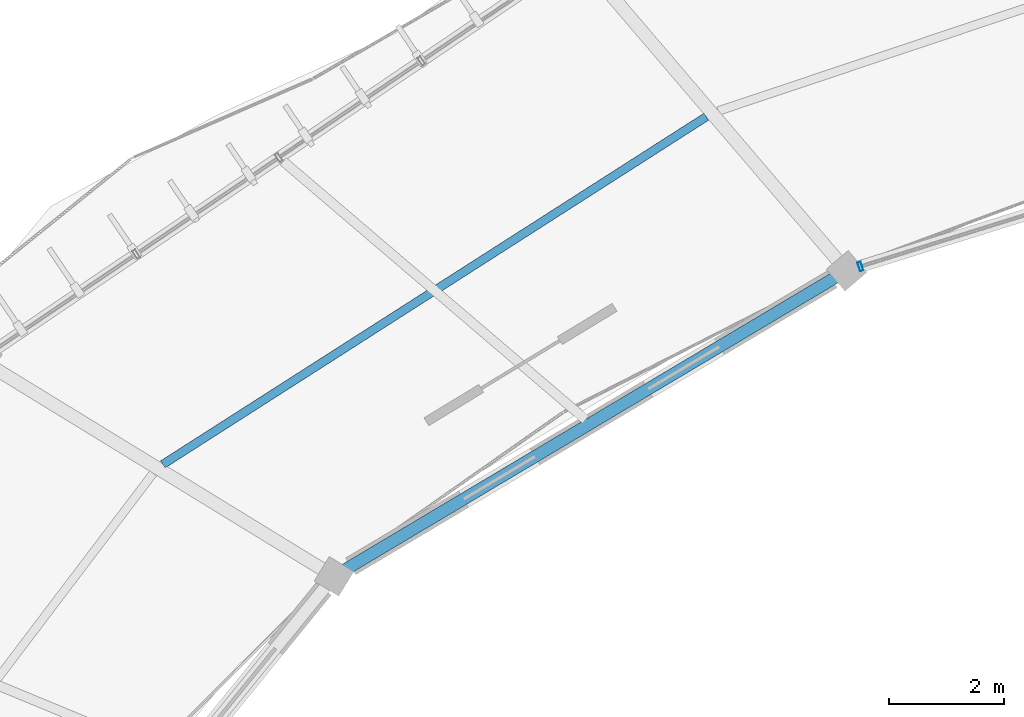
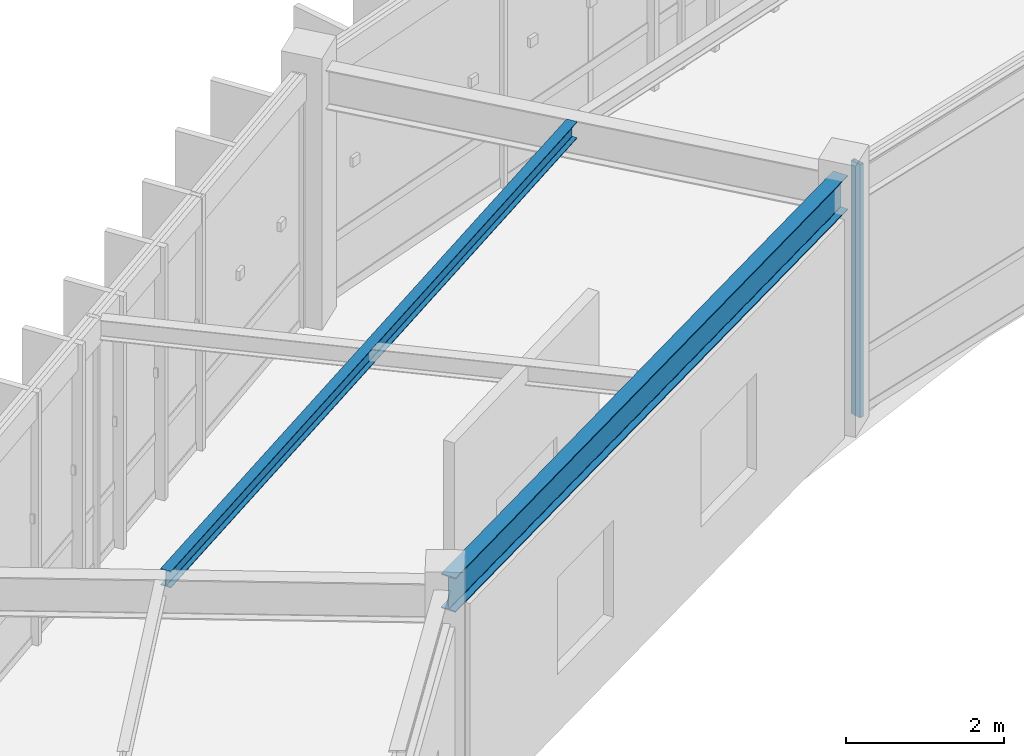
# One storey, part 27 of 79: 2 beams, 1 member, 1 element without a shape of its own.
"""IFC4 building model written with IfcOpenShell, lengths in metres."""

import ifcopenshell
import ifcopenshell.guid

model = None  # the IFC model being written
_history = None  # IfcOwnerHistory: only IFC2X3 demands one
_inside = {}  # id of a spatial element -> (the spatial element, [elements in it])
_under = {}  # id of a project, library or spatial element -> (it, [spatial elements below it])
_declared = {}  # id of a project -> (the project, [libraries it declares])
_typed = {}  # id of a type object -> (the type object, [elements of that type])
_made_of = {}  # id of a material, layer set ... -> (it, [elements and type objects made of it])


def new_model(schema):
    """Start an empty IFC model of exactly this schema.

    Asked for "IFC4X3", IfcOpenShell would pick the latest addendum, in which some entities
    have other attributes; the version numbers below select the first issue.
    IFC2X3 requires an IfcOwnerHistory on every rooted entity: one is made here for all.
    """
    global model, _history
    if schema == "IFC4X3":
        model = ifcopenshell.file(schema_version=(4, 3, 0, 0))
    else:
        model = ifcopenshell.file(schema=schema)
    _inside.clear()
    _under.clear()
    _declared.clear()
    _typed.clear()
    _made_of.clear()
    _history = None
    if model.schema == "IFC2X3":
        org = make("IfcOrganization", Name="unknown")
        user = make(
            "IfcPersonAndOrganization",
            ThePerson=make("IfcPerson", FamilyName="unknown"),
            TheOrganization=org,
        )
        app = make(
            "IfcApplication",
            ApplicationDeveloper=org,
            Version="unknown",
            ApplicationFullName="unknown",
            ApplicationIdentifier="unknown",
        )
        _history = make(
            "IfcOwnerHistory",
            OwningUser=user,
            OwningApplication=app,
            ChangeAction="ADDED",
            CreationDate=0,
        )
    return model


def make(cls, **values):
    """One entity of the class cls with the attributes given. An attribute that is None is left unset."""
    return model.create_entity(
        cls, **{name: value for name, value in values.items() if value is not None}
    )


def rooted(cls, **values):
    """An entity with a GlobalId (a new one), such as an element, a storey or a relation."""
    return make(cls, GlobalId=ifcopenshell.guid.new(), OwnerHistory=_history, **values)


def si_unit(unit_type, name, prefix=None):
    """IfcSIUnit, for example si_unit("LENGTHUNIT", "METRE", prefix="MILLI")."""
    return make("IfcSIUnit", UnitType=unit_type, Prefix=prefix, Name=name)


def assignment(units):
    """IfcUnitAssignment: the units of a project."""
    return None if units is None else make("IfcUnitAssignment", Units=units)


def point(xyz):
    """IfcCartesianPoint."""
    return None if xyz is None else make("IfcCartesianPoint", Coordinates=xyz)


def direction(xyz):
    """IfcDirection."""
    return None if xyz is None else make("IfcDirection", DirectionRatios=xyz)


def frame(location, z_axis=None, x_axis=None):
    """IfcAxis2Placement3D, a coordinate frame: its origin and axes. An axis left out is left unset."""
    return make(
        "IfcAxis2Placement3D",
        Location=point(location),
        Axis=direction(z_axis),
        RefDirection=direction(x_axis),
    )


def frame_2d(location, x_axis=None):
    """IfcAxis2Placement2D, a coordinate frame in the plane: its origin and x axis."""
    return make(
        "IfcAxis2Placement2D", Location=point(location), RefDirection=direction(x_axis)
    )


def origin():
    """The frame at (0, 0, 0) with its axes left unset."""
    return frame((0.0, 0.0, 0.0))


def origin_2d():
    """The frame at (0, 0) in the plane with its x axis left unset."""
    return frame_2d((0.0, 0.0))


def place(relative_to, where):
    """IfcLocalPlacement: puts the frame where relative to a parent placement (None: the world)."""
    return make(
        "IfcLocalPlacement", PlacementRelTo=relative_to, RelativePlacement=where
    )


def context(
    kind, dimensions, precision=None, world=None, true_north=None, identifier=None
):
    """IfcGeometricRepresentationContext, for example the 3D "Model" context."""
    return make(
        "IfcGeometricRepresentationContext",
        ContextIdentifier=identifier,
        ContextType=kind,
        CoordinateSpaceDimension=dimensions,
        Precision=precision,
        WorldCoordinateSystem=world,
        TrueNorth=true_north,
    )


def subcontext(parent, identifier, kind, view, scale=None):
    """IfcGeometricRepresentationSubContext, for example "Body" below "Model"."""
    return make(
        "IfcGeometricRepresentationSubContext",
        ContextIdentifier=identifier,
        ContextType=kind,
        ParentContext=parent,
        TargetScale=scale,
        TargetView=view,
    )


def project(units=None, contexts=None):
    """IfcProject with its units and contexts."""
    return rooted(
        "IfcProject",
        Name="project",
        RepresentationContexts=contexts,
        UnitsInContext=assignment(units),
    )


def spatial(cls, under=None, at=None, **own):
    """A site, building, storey or space (cls), placed at a placement, below another one or the project."""
    s = rooted(cls, ObjectPlacement=at, **own)
    if under is not None:
        _under.setdefault(under.id(), (under, []))[1].append(s)
    return s


def profile(cls, at=None, kind="AREA", **sizes):
    """A parametric profile (cls). Its sizes go by their IFC names, for example OverallWidth=200.0."""
    return make(cls, ProfileType=kind, Position=at, **sizes)


def hollow_rectangle(**sizes):
    """IfcRectangleHollowProfileDef."""
    return profile("IfcRectangleHollowProfileDef", **sizes)


def i_section(**sizes):
    """IfcIShapeProfileDef."""
    return profile("IfcIShapeProfileDef", **sizes)


def extrude(swept, where, along, depth):
    """IfcExtrudedAreaSolid: the profile swept, set in the frame where, extruded along a direction by depth."""
    return make(
        "IfcExtrudedAreaSolid",
        SweptArea=swept,
        Position=where,
        ExtrudedDirection=direction(along),
        Depth=depth,
    )


def shape(context_of_items, identifier, shape_type, items):
    """IfcShapeRepresentation: the items that make up one representation, for example the "Body"."""
    return make(
        "IfcShapeRepresentation",
        ContextOfItems=context_of_items,
        RepresentationIdentifier=identifier,
        RepresentationType=shape_type,
        Items=items,
    )


def material(Name=None, Category=None):
    """IfcMaterial."""
    return make("IfcMaterial", Name=Name, Category=Category)


def material_profile(
    of_material, cross_section, Name=None, Category=None, Priority=None
):
    """IfcMaterialProfile: a cross section and its material."""
    return make(
        "IfcMaterialProfile",
        Name=Name,
        Material=of_material,
        Profile=cross_section,
        Priority=Priority,
        Category=Category,
    )


def profile_set(profiles, Name=None, composite=None):
    """IfcMaterialProfileSet."""
    return make(
        "IfcMaterialProfileSet",
        Name=Name,
        MaterialProfiles=profiles,
        CompositeProfile=composite,
    )


def made_of(thing, what):
    """Note that an element or type object is made of a material, layer set ...; save() writes the relation."""
    if what is not None:
        _made_of.setdefault(what.id(), (what, []))[1].append(thing)
    return thing


def type_object(cls, material=None, **own):
    """A type object (cls), such as IfcWallType, which elements share."""
    return made_of(rooted(cls, **own), material)


def element(
    cls,
    number,
    at=None,
    inside=None,
    cuts=None,
    type_object=None,
    material=None,
    context=None,
    identifier="Body",
    shape_type=None,
    held_by="IfcProductDefinitionShape",
    body=None,
    shapes=None,
    **own,
):
    """One element of the class cls, such as IfcWall. Its Tag is "e" and its number.

    at: its placement. inside: the storey or other place that contains it. cuts: it is an
    opening in that element (IfcRelVoidsElement). A single representation is given by context,
    identifier, shape_type and body (its items); several are given by shapes. held_by: the class
    of the entity that holds the representations. save() writes the other relations.
    """
    e = rooted(cls, Tag="e%d" % number, ObjectPlacement=at, **own)
    if body is not None:
        shapes = [shape(context, identifier, shape_type, body)]
    if shapes is not None:
        e.Representation = make(held_by, Representations=shapes)
    if inside is not None:
        _inside.setdefault(inside.id(), (inside, []))[1].append(e)
    if cuts is not None:
        rooted(
            "IfcRelVoidsElement", RelatingBuildingElement=cuts, RelatedOpeningElement=e
        )
    if type_object is not None:
        _typed.setdefault(type_object.id(), (type_object, []))[1].append(e)
    return made_of(e, material)


def aggregate(whole, parts):
    """IfcRelAggregates: a whole, such as a stair, and the parts it consists of."""
    return rooted("IfcRelAggregates", RelatingObject=whole, RelatedObjects=parts)


def save(model, path):
    """Write the relations noted so far, then the file.

    IfcRelAggregates (storeys below a building ...), IfcRelContainedInSpatialStructure (elements
    in a storey), IfcRelDefinesByType, IfcRelAssociatesMaterial and IfcRelDeclares: one each for
    every whole, place, type object, material and project.
    """
    for whole, parts in _under.values():
        aggregate(whole, parts)
    for where, things in _inside.values():
        rooted(
            "IfcRelContainedInSpatialStructure",
            RelatedElements=things,
            RelatingStructure=where,
        )
    for kind, things in _typed.values():
        rooted("IfcRelDefinesByType", RelatedObjects=things, RelatingType=kind)
    for what, things in _made_of.values():
        rooted("IfcRelAssociatesMaterial", RelatedObjects=things, RelatingMaterial=what)
    for by, libraries in _declared.values():
        rooted("IfcRelDeclares", RelatingContext=by, RelatedDefinitions=libraries)
    model.write(path)


model = new_model("IFC4")

# Units and contexts
model_context = context("Model", 3, precision=1e-05, world=origin(), true_north=direction((0.0, 1.0)))
body_context = subcontext(model_context, "Body", "Model", "MODEL_VIEW")
ifc_project = project(units=[si_unit("LENGTHUNIT", "METRE"), si_unit("AREAUNIT", "SQUARE_METRE"), si_unit("VOLUMEUNIT", "CUBIC_METRE"), si_unit("PLANEANGLEUNIT", "RADIAN"), si_unit("MASSUNIT", "GRAM", prefix="KILO"), si_unit("THERMODYNAMICTEMPERATUREUNIT", "KELVIN"), si_unit("POWERUNIT", "WATT")], contexts=[model_context])

# Site, building, storey
site_placement = place(None, origin())
site = spatial("IfcSite", under=ifc_project, at=site_placement, CompositionType="ELEMENT")
building_placement = place(site_placement, origin())
building = spatial("IfcBuilding", under=site, at=building_placement, Name="Darbajah Civic Hall", CompositionType="ELEMENT")
storey_placement = place(building_placement, frame((0.0, 0.0, 22.199951171875)))
storey = spatial("IfcBuildingStorey", under=building, at=storey_placement, Name="L05", CompositionType="ELEMENT", Elevation=22.199951171875)

# Curtain wall, member
ifc_material_1 = material(Name="Anodised Bronze Aluminium and Low-E Glazing", Category="aluminium")
curtain_wall_type = type_object("IfcCurtainWallType", Name="Unitised Curtain Wall CW-67 11700x3900", PredefinedType="USERDEFINED", material=ifc_material_1)
curtain_wall_placement = place(storey_placement, origin())
curtain_wall = element("IfcCurtainWall", 1, at=curtain_wall_placement, inside=storey, type_object=curtain_wall_type, Name="L05 unitised curtain wall CW-V1I-L05-06", ObjectType="UNITISED CURTAIN WALL", PredefinedType="USERDEFINED")
ifc_material_2 = material(Name="Anodised Bronze Aluminium", Category="aluminium")
ifc_material_profile_1 = material_profile(ifc_material_2, hollow_rectangle(XDim=0.06005859375, YDim=0.159912109375, WallThickness=0.00341796875, at=origin_2d()), Name="ALU MULLION 60x160")
ifc_profile_set_1 = profile_set([ifc_material_profile_1], Name="Anodised Bronze Aluminium")
member_type = type_object("IfcMemberType", Name="ALU MULLION 60x160", PredefinedType="MULLION", material=ifc_profile_set_1)
member_placement = place(storey_placement, frame((60.894775390625, 106.832275390625, 0.0), z_axis=(0.0, 0.0, 1.0), x_axis=(-0.954604963513, -0.297874744877, 0.0)))
member = element("IfcMember", 2, at=member_placement, type_object=member_type, Name="CW-V1I-L05-06 mullion 4", PredefinedType="MULLION", context=body_context, shape_type="SweptSolid", body=[
    extrude(hollow_rectangle(XDim=0.06005859375, YDim=0.159912109375, WallThickness=0.00341796875, at=origin_2d()), origin(), (0.0, 0.0, 1.0), 3.920166015625),
])
aggregate(curtain_wall, [member])

# Beams
ifc_material_3 = material(Name="Steel S355JR", Category="steel")
ifc_material_profile_2 = material_profile(ifc_material_3, i_section(OverallWidth=0.146484375, OverallDepth=0.256103515625, WebThickness=0.00634765625, FlangeThickness=0.010986328125, FilletRadius=0.007568359375, at=origin_2d()), Name="UB 254x146x37")
ifc_profile_set_2 = profile_set([ifc_material_profile_2], Name="Steel S355JR")
beam_type_1 = type_object("IfcBeamType", Name="UB 254x146x37", PredefinedType="JOIST", material=ifc_profile_set_2)
beam_1_placement = place(storey_placement, frame((58.218505859375, 109.431884765625, 3.7919921875), z_axis=(-0.842364011789, -0.538908964152, 0.0), x_axis=(0.538908964152, -0.842364011789, 0.0)))
element("IfcBeam", 3, at=beam_1_placement, inside=storey, type_object=beam_type_1, Name="L05 beam SJ-254", PredefinedType="JOIST", context=body_context, shape_type="SweptSolid", body=[
    extrude(i_section(OverallWidth=0.146484375, OverallDepth=0.256103515625, WebThickness=0.00634765625, FlangeThickness=0.010986328125, FilletRadius=0.007568359375, at=origin_2d()), origin(), (0.0, 0.0, 1.0), 11.20166015625),
])
ifc_material_profile_3 = material_profile(ifc_material_3, i_section(OverallWidth=0.209228515625, OverallDepth=0.533203125, WebThickness=0.010009765625, FlangeThickness=0.015625, FilletRadius=0.0126953125, at=origin_2d()), Name="UB 533x210x92")
ifc_profile_set_3 = profile_set([ifc_material_profile_3], Name="Steel S355JR")
beam_type_2 = type_object("IfcBeamType", Name="UB 533x210x92", PredefinedType="BEAM", material=ifc_profile_set_3)
beam_2_placement = place(storey_placement, frame((60.58544921875, 106.716064453125, 3.653564453125), z_axis=(-0.858963370671, -0.512037037572, 0.0), x_axis=(0.512037037572, -0.858963370671, 0.0)))
element("IfcBeam", 4, at=beam_2_placement, inside=storey, type_object=beam_type_2, Name="L05 beam SB-533", PredefinedType="BEAM", context=body_context, shape_type="SweptSolid", body=[
    extrude(i_section(OverallWidth=0.209228515625, OverallDepth=0.533203125, WebThickness=0.010009765625, FlangeThickness=0.015625, FilletRadius=0.0126953125, at=origin_2d()), origin(), (0.0, 0.0, 1.0), 10.201171875),
])

save(model, "model.ifc")
